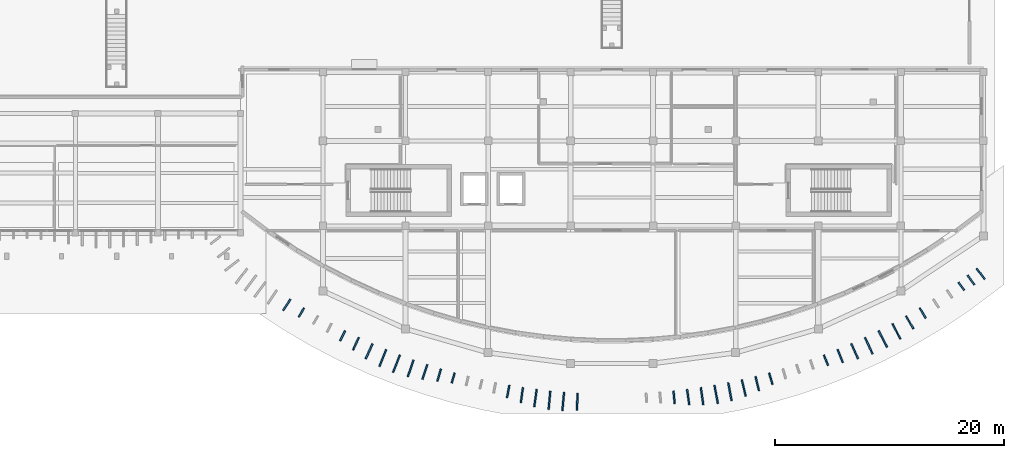
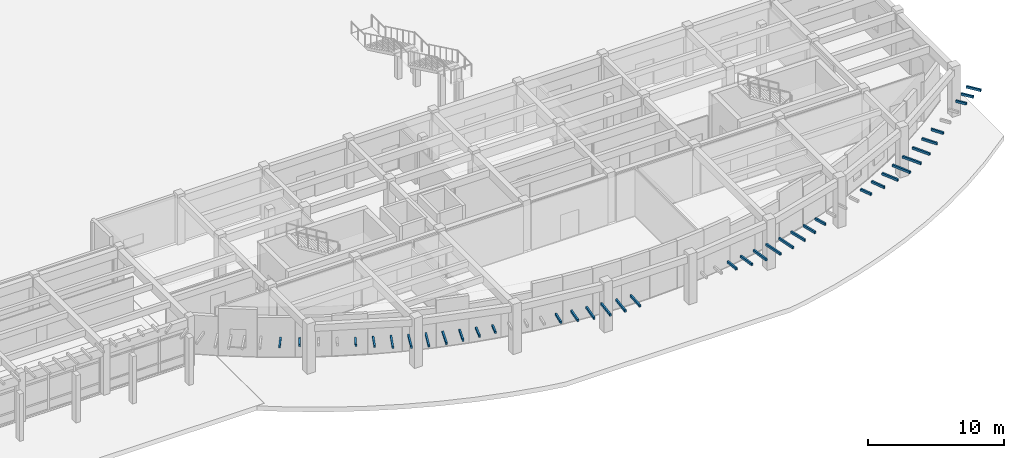
# One storey, part 42 of 58: 36 discrete accessories.
"""IFC4 building model written with IfcOpenShell, lengths in metres."""

from ifc_helpers import new_model, si_unit, direction, frame, origin, origin_2d, place, context, subcontext, project, spatial, rectangle, extrude, material, type_object, element, save


model = new_model("IFC4")

# Units and contexts
model_context = context("Model", 3, precision=1e-05, world=origin(), true_north=direction((0.0, 1.0)))
body_context = subcontext(model_context, "Body", "Model", "MODEL_VIEW")
ifc_project = project(units=[si_unit("LENGTHUNIT", "METRE"), si_unit("AREAUNIT", "SQUARE_METRE"), si_unit("VOLUMEUNIT", "CUBIC_METRE"), si_unit("PLANEANGLEUNIT", "RADIAN"), si_unit("MASSUNIT", "GRAM", prefix="KILO")], contexts=[model_context])

# Site, building, storey
site_placement = place(None, origin())
site = spatial("IfcSite", under=ifc_project, at=site_placement, CompositionType="ELEMENT")
building_placement = place(site_placement, origin())
building = spatial("IfcBuilding", under=site, at=building_placement, Name="Brisavento Harbour Community Centre", CompositionType="ELEMENT")
storey_placement = place(building_placement, origin())
storey = spatial("IfcBuildingStorey", under=building, at=storey_placement, Name="L00", CompositionType="ELEMENT", Elevation=0.0)

# Discrete accessories
ifc_material = material(Name="Stainless steel 1.4401", Category="steel")
discrete_accessory_type = type_object("IfcDiscreteAccessoryType", Name="BRK-FIN-SS", PredefinedType="BRACKET", material=ifc_material)
discrete_accessory_1_placement = place(storey_placement, frame((112.048583984375, 8.100830078125, 4.27978515625), z_axis=(0.0, 0.0, 1.0), x_axis=(-0.554060082852, -0.832476681109, 0.0)))
element("IfcDiscreteAccessory", 1, at=discrete_accessory_1_placement, inside=storey, type_object=discrete_accessory_type, Name="Stainless-steel storm-fin bracket 097.2", PredefinedType="BRACKET", context=body_context, shape_type="SweptSolid", body=[
    extrude(rectangle(XDim=1.146728515625, YDim=0.139892578125, at=origin_2d()), origin(), (0.0, 0.0, 1.0), 0.199951171875),
])
discrete_accessory_2_placement = place(storey_placement, frame((113.3203125, 7.4404296875, 4.27978515625), z_axis=(0.0, 0.0, 1.0), x_axis=(-0.507869167385, -0.861434216188, 0.0)))
element("IfcDiscreteAccessory", 2, at=discrete_accessory_2_placement, inside=storey, type_object=discrete_accessory_type, Name="Stainless-steel storm-fin bracket 098.2", PredefinedType="BRACKET", context=body_context, shape_type="SweptSolid", body=[
    extrude(rectangle(XDim=0.913330078125, YDim=0.139892578125, at=origin_2d()), origin(), (0.0, 0.0, 1.0), 0.199951171875),
])
discrete_accessory_3_placement = place(storey_placement, frame((116.914794921875, 5.41357421875, 4.27978515625), z_axis=(0.0, 0.0, 1.0), x_axis=(-0.461702168823, -0.887035009063, 0.0)))
element("IfcDiscreteAccessory", 3, at=discrete_accessory_3_placement, inside=storey, type_object=discrete_accessory_type, Name="Stainless-steel storm-fin bracket 101.2", PredefinedType="BRACKET", context=body_context, shape_type="SweptSolid", body=[
    extrude(rectangle(XDim=0.968994140625, YDim=0.139892578125, at=origin_2d()), origin(), (0.0, 0.0, 1.0), 0.199951171875),
])
discrete_accessory_4_placement = place(storey_placement, frame((118.07470703125, 4.716796875, 4.27978515625), z_axis=(0.0, 0.0, 1.0), x_axis=(-0.415518926407, -0.909584532519, 0.0)))
element("IfcDiscreteAccessory", 4, at=discrete_accessory_4_placement, inside=storey, type_object=discrete_accessory_type, Name="Stainless-steel storm-fin bracket 102.2", PredefinedType="BRACKET", context=body_context, shape_type="SweptSolid", body=[
    extrude(rectangle(XDim=1.20263671875, YDim=0.139892578125, at=origin_2d()), origin(), (0.0, 0.0, 1.0), 0.199951171875),
])
discrete_accessory_5_placement = place(storey_placement, frame((119.2265625, 4.063232421875, 4.27978515625), z_axis=(0.0, 0.0, 1.0), x_axis=(-0.415518926407, -0.909584532519, 0.0)))
element("IfcDiscreteAccessory", 5, at=discrete_accessory_5_placement, inside=storey, type_object=discrete_accessory_type, Name="Stainless-steel storm-fin bracket 103.2", PredefinedType="BRACKET", context=body_context, shape_type="SweptSolid", body=[
    extrude(rectangle(XDim=1.434326171875, YDim=0.139892578125, at=origin_2d()), origin(), (0.0, 0.0, 1.0), 0.199951171875),
])
discrete_accessory_6_placement = place(storey_placement, frame((120.4169921875, 3.4697265625, 4.27978515625), z_axis=(0.0, 0.0, 1.0), x_axis=(-0.369341311525, -0.92929381554, 0.0)))
element("IfcDiscreteAccessory", 6, at=discrete_accessory_6_placement, inside=storey, type_object=discrete_accessory_type, Name="Stainless-steel storm-fin bracket 104.2", PredefinedType="BRACKET", context=body_context, shape_type="SweptSolid", body=[
    extrude(rectangle(XDim=1.59130859375, YDim=0.139892578125, at=origin_2d()), origin(), (0.0, 0.0, 1.0), 0.199951171875),
])
discrete_accessory_7_placement = place(storey_placement, frame((121.6103515625, 2.976318359375, 4.27978515625), z_axis=(0.0, 0.0, 1.0), x_axis=(-0.369341311525, -0.92929381554, 0.0)))
element("IfcDiscreteAccessory", 7, at=discrete_accessory_7_placement, inside=storey, type_object=discrete_accessory_type, Name="Stainless-steel storm-fin bracket 105.2", PredefinedType="BRACKET", context=body_context, shape_type="SweptSolid", body=[
    extrude(rectangle(XDim=1.626220703125, YDim=0.139892578125, at=origin_2d()), origin(), (0.0, 0.0, 1.0), 0.199951171875),
])
discrete_accessory_8_placement = place(storey_placement, frame((122.849365234375, 2.568603515625, 4.27978515625), z_axis=(0.0, 0.0, 1.0), x_axis=(-0.323174264667, -0.94633947115, 0.0)))
element("IfcDiscreteAccessory", 8, at=discrete_accessory_8_placement, inside=storey, type_object=discrete_accessory_type, Name="Stainless-steel storm-fin bracket 106.2", PredefinedType="BRACKET", context=body_context, shape_type="SweptSolid", body=[
    extrude(rectangle(XDim=1.53271484375, YDim=0.139892578125, at=origin_2d()), origin(), (0.0, 0.0, 1.0), 0.199951171875),
])
discrete_accessory_9_placement = place(storey_placement, frame((124.080078125, 2.249267578125, 4.27978515625), z_axis=(0.0, 0.0, 1.0), x_axis=(-0.323174264667, -0.94633947115, 0.0)))
element("IfcDiscreteAccessory", 9, at=discrete_accessory_9_placement, inside=storey, type_object=discrete_accessory_type, Name="Stainless-steel storm-fin bracket 107.2", PredefinedType="BRACKET", context=body_context, shape_type="SweptSolid", body=[
    extrude(rectangle(XDim=1.341552734375, YDim=0.139892578125, at=origin_2d()), origin(), (0.0, 0.0, 1.0), 0.199951171875),
])
discrete_accessory_10_placement = place(storey_placement, frame((125.3291015625, 1.9765625, 4.27978515625), z_axis=(0.0, 0.0, 1.0), x_axis=(-0.276996031628, -0.96087106235, 0.0)))
element("IfcDiscreteAccessory", 10, at=discrete_accessory_10_placement, inside=storey, type_object=discrete_accessory_type, Name="Stainless-steel storm-fin bracket 108.2", PredefinedType="BRACKET", context=body_context, shape_type="SweptSolid", body=[
    extrude(rectangle(XDim=1.111328125, YDim=0.139892578125, at=origin_2d()), origin(), (0.0, 0.0, 1.0), 0.199951171875),
])
discrete_accessory_11_placement = place(storey_placement, frame((126.55712890625, 1.727294921875, 4.27978515625), z_axis=(0.0, 0.0, 1.0), x_axis=(-0.276996031628, -0.96087106235, 0.0)))
element("IfcDiscreteAccessory", 11, at=discrete_accessory_11_placement, inside=storey, type_object=discrete_accessory_type, Name="Stainless-steel storm-fin bracket 109.2", PredefinedType="BRACKET", context=body_context, shape_type="SweptSolid", body=[
    extrude(rectangle(XDim=0.909912109375, YDim=0.139892578125, at=origin_2d()), origin(), (0.0, 0.0, 1.0), 0.199951171875),
])
discrete_accessory_12_placement = place(storey_placement, frame((131.35302734375, 0.545166015625, 4.27978515625), z_axis=(0.0, 0.0, 1.0), x_axis=(-0.184671830369, -0.982800241691, 0.0)))
element("IfcDiscreteAccessory", 12, at=discrete_accessory_12_placement, inside=storey, type_object=discrete_accessory_type, Name="Stainless-steel storm-fin bracket 113.2", PredefinedType="BRACKET", context=body_context, shape_type="SweptSolid", body=[
    extrude(rectangle(XDim=1.109619140625, YDim=0.139892578125, at=origin_2d()), origin(), (0.0, 0.0, 1.0), 0.199951171875),
])
discrete_accessory_13_placement = place(storey_placement, frame((132.54931640625, 0.236328125, 4.27978515625), z_axis=(0.0, 0.0, 1.0), x_axis=(-0.138499014678, -0.990362571452, 0.0)))
element("IfcDiscreteAccessory", 13, at=discrete_accessory_13_placement, inside=storey, type_object=discrete_accessory_type, Name="Stainless-steel storm-fin bracket 114.2", PredefinedType="BRACKET", context=body_context, shape_type="SweptSolid", body=[
    extrude(rectangle(XDim=1.332275390625, YDim=0.139892578125, at=origin_2d()), origin(), (0.0, 0.0, 1.0), 0.199951171875),
])
discrete_accessory_14_placement = place(storey_placement, frame((133.736328125, -0.024169921875, 4.27978515625), z_axis=(0.0, 0.0, 1.0), x_axis=(-0.138499014678, -0.990362571452, 0.0)))
element("IfcDiscreteAccessory", 14, at=discrete_accessory_14_placement, inside=storey, type_object=discrete_accessory_type, Name="Stainless-steel storm-fin bracket 115.2", PredefinedType="BRACKET", context=body_context, shape_type="SweptSolid", body=[
    extrude(rectangle(XDim=1.51953125, YDim=0.139892578125, at=origin_2d()), origin(), (0.0, 0.0, 1.0), 0.199951171875),
])
discrete_accessory_15_placement = place(storey_placement, frame((134.952880859375, -0.21630859375, 4.27978515625), z_axis=(0.0, 0.0, 1.0), x_axis=(-0.092335830041, -0.99572792192, 0.0)))
element("IfcDiscreteAccessory", 15, at=discrete_accessory_15_placement, inside=storey, type_object=discrete_accessory_type, Name="Stainless-steel storm-fin bracket 116.2", PredefinedType="BRACKET", context=body_context, shape_type="SweptSolid", body=[
    extrude(rectangle(XDim=1.62060546875, YDim=0.139892578125, at=origin_2d()), origin(), (0.0, 0.0, 1.0), 0.199951171875),
])
discrete_accessory_16_placement = place(storey_placement, frame((136.1533203125, -0.322021484375, 4.27978515625), z_axis=(0.0, 0.0, 1.0), x_axis=(-0.092335830041, -0.99572792192, 0.0)))
element("IfcDiscreteAccessory", 16, at=discrete_accessory_16_placement, inside=storey, type_object=discrete_accessory_type, Name="Stainless-steel storm-fin bracket 117.2", PredefinedType="BRACKET", context=body_context, shape_type="SweptSolid", body=[
    extrude(rectangle(XDim=1.609130859375, YDim=0.139892578125, at=origin_2d()), origin(), (0.0, 0.0, 1.0), 0.199951171875),
])
discrete_accessory_17_placement = place(storey_placement, frame((137.37939453125, -0.3466796875, 4.27978515625), z_axis=(0.0, 0.0, 1.0), x_axis=(-0.0461649984, -0.9989338281, 0.0)))
element("IfcDiscreteAccessory", 17, at=discrete_accessory_17_placement, inside=storey, type_object=discrete_accessory_type, Name="Stainless-steel storm-fin bracket 118.2", PredefinedType="BRACKET", context=body_context, shape_type="SweptSolid", body=[
    extrude(rectangle(XDim=1.488525390625, YDim=0.139892578125, at=origin_2d()), origin(), (0.0, 0.0, 1.0), 0.199951171875),
])
discrete_accessory_18_placement = place(storey_placement, frame((145.823974609375, 0.032958984375, 4.27978515625), z_axis=(0.0, 0.0, 1.0), x_axis=(0.092335830041, -0.99572792192, 0.0)))
element("IfcDiscreteAccessory", 18, at=discrete_accessory_18_placement, inside=storey, type_object=discrete_accessory_type, Name="Stainless-steel storm-fin bracket 121.2", PredefinedType="BRACKET", context=body_context, shape_type="SweptSolid", body=[
    extrude(rectangle(XDim=1.119873046875, YDim=0.139892578125, at=origin_2d()), origin(), (0.0, 0.0, 1.0), 0.199951171875),
])
discrete_accessory_19_placement = place(storey_placement, frame((147.05126953125, 0.064208984375, 4.27978515625), z_axis=(0.0, 0.0, 1.0), x_axis=(0.138499014678, -0.990362571452, 0.0)))
element("IfcDiscreteAccessory", 19, at=discrete_accessory_19_placement, inside=storey, type_object=discrete_accessory_type, Name="Stainless-steel storm-fin bracket 122.2", PredefinedType="BRACKET", context=body_context, shape_type="SweptSolid", body=[
    extrude(rectangle(XDim=1.3408203125, YDim=0.139892578125, at=origin_2d()), origin(), (0.0, 0.0, 1.0), 0.199951171875),
])
discrete_accessory_20_placement = place(storey_placement, frame((148.26416015625, 0.140625, 4.27978515625), z_axis=(0.0, 0.0, 1.0), x_axis=(0.138499014678, -0.990362571452, 0.0)))
element("IfcDiscreteAccessory", 20, at=discrete_accessory_20_placement, inside=storey, type_object=discrete_accessory_type, Name="Stainless-steel storm-fin bracket 123.2", PredefinedType="BRACKET", context=body_context, shape_type="SweptSolid", body=[
    extrude(rectangle(XDim=1.525390625, YDim=0.139892578125, at=origin_2d()), origin(), (0.0, 0.0, 1.0), 0.199951171875),
])
discrete_accessory_21_placement = place(storey_placement, frame((149.494384765625, 0.293212890625, 4.27978515625), z_axis=(0.0, 0.0, 1.0), x_axis=(0.184671830369, -0.982800241691, 0.0)))
element("IfcDiscreteAccessory", 21, at=discrete_accessory_21_placement, inside=storey, type_object=discrete_accessory_type, Name="Stainless-steel storm-fin bracket 124.2", PredefinedType="BRACKET", context=body_context, shape_type="SweptSolid", body=[
    extrude(rectangle(XDim=1.622802734375, YDim=0.139892578125, at=origin_2d()), origin(), (0.0, 0.0, 1.0), 0.199951171875),
])
discrete_accessory_22_placement = place(storey_placement, frame((150.69287109375, 0.527587890625, 4.27978515625), z_axis=(0.0, 0.0, 1.0), x_axis=(0.184671830369, -0.982800241691, 0.0)))
element("IfcDiscreteAccessory", 22, at=discrete_accessory_22_placement, inside=storey, type_object=discrete_accessory_type, Name="Stainless-steel storm-fin bracket 125.2", PredefinedType="BRACKET", context=body_context, shape_type="SweptSolid", body=[
    extrude(rectangle(XDim=1.604736328125, YDim=0.139892578125, at=origin_2d()), origin(), (0.0, 0.0, 1.0), 0.199951171875),
])
discrete_accessory_23_placement = place(storey_placement, frame((151.90087890625, 0.8505859375, 4.27978515625), z_axis=(0.0, 0.0, 1.0), x_axis=(0.230830981037, -0.972993863389, 0.0)))
element("IfcDiscreteAccessory", 23, at=discrete_accessory_23_placement, inside=storey, type_object=discrete_accessory_type, Name="Stainless-steel storm-fin bracket 126.2", PredefinedType="BRACKET", context=body_context, shape_type="SweptSolid", body=[
    extrude(rectangle(XDim=1.47509765625, YDim=0.139892578125, at=origin_2d()), origin(), (0.0, 0.0, 1.0), 0.199951171875),
])
discrete_accessory_24_placement = place(storey_placement, frame((153.0771484375, 1.235595703125, 4.27978515625), z_axis=(0.0, 0.0, 1.0), x_axis=(0.230830981037, -0.972993863389, 0.0)))
element("IfcDiscreteAccessory", 24, at=discrete_accessory_24_placement, inside=storey, type_object=discrete_accessory_type, Name="Stainless-steel storm-fin bracket 127.2", PredefinedType="BRACKET", context=body_context, shape_type="SweptSolid", body=[
    extrude(rectangle(XDim=1.2685546875, YDim=0.139892578125, at=origin_2d()), origin(), (0.0, 0.0, 1.0), 0.199951171875),
])
discrete_accessory_25_placement = place(storey_placement, frame((154.26123046875, 1.66357421875, 4.27978515625), z_axis=(0.0, 0.0, 1.0), x_axis=(0.276996031628, -0.96087106235, 0.0)))
element("IfcDiscreteAccessory", 25, at=discrete_accessory_25_placement, inside=storey, type_object=discrete_accessory_type, Name="Stainless-steel storm-fin bracket 128.2", PredefinedType="BRACKET", context=body_context, shape_type="SweptSolid", body=[
    extrude(rectangle(XDim=1.04296875, YDim=0.139892578125, at=origin_2d()), origin(), (0.0, 0.0, 1.0), 0.199951171875),
])
discrete_accessory_26_placement = place(storey_placement, frame((159.071044921875, 3.2744140625, 4.27978515625), z_axis=(0.0, 0.0, 1.0), x_axis=(0.369341311525, -0.92929381554, 0.0)))
element("IfcDiscreteAccessory", 26, at=discrete_accessory_26_placement, inside=storey, type_object=discrete_accessory_type, Name="Stainless-steel storm-fin bracket 132.2", PredefinedType="BRACKET", context=body_context, shape_type="SweptSolid", body=[
    extrude(rectangle(XDim=0.98486328125, YDim=0.139892578125, at=origin_2d()), origin(), (0.0, 0.0, 1.0), 0.199951171875),
])
discrete_accessory_27_placement = place(storey_placement, frame((160.313232421875, 3.645263671875, 4.27978515625), z_axis=(0.0, 0.0, 1.0), x_axis=(0.369341311525, -0.92929381554, 0.0)))
element("IfcDiscreteAccessory", 27, at=discrete_accessory_27_placement, inside=storey, type_object=discrete_accessory_type, Name="Stainless-steel storm-fin bracket 133.2", PredefinedType="BRACKET", context=body_context, shape_type="SweptSolid", body=[
    extrude(rectangle(XDim=1.212890625, YDim=0.139892578125, at=origin_2d()), origin(), (0.0, 0.0, 1.0), 0.199951171875),
])
discrete_accessory_28_placement = place(storey_placement, frame((161.57470703125, 4.060302734375, 4.27978515625), z_axis=(0.0, 0.0, 1.0), x_axis=(0.415518926407, -0.909584532519, 0.0)))
element("IfcDiscreteAccessory", 28, at=discrete_accessory_28_placement, inside=storey, type_object=discrete_accessory_type, Name="Stainless-steel storm-fin bracket 134.2", PredefinedType="BRACKET", context=body_context, shape_type="SweptSolid", body=[
    extrude(rectangle(XDim=1.44091796875, YDim=0.139892578125, at=origin_2d()), origin(), (0.0, 0.0, 1.0), 0.199951171875),
])
discrete_accessory_29_placement = place(storey_placement, frame((162.806884765625, 4.538330078125, 4.27978515625), z_axis=(0.0, 0.0, 1.0), x_axis=(0.415518926407, -0.909584532519, 0.0)))
element("IfcDiscreteAccessory", 29, at=discrete_accessory_29_placement, inside=storey, type_object=discrete_accessory_type, Name="Stainless-steel storm-fin bracket 135.2", PredefinedType="BRACKET", context=body_context, shape_type="SweptSolid", body=[
    extrude(rectangle(XDim=1.59521484375, YDim=0.139892578125, at=origin_2d()), origin(), (0.0, 0.0, 1.0), 0.199951171875),
])
discrete_accessory_30_placement = place(storey_placement, frame((164.036376953125, 5.123291015625, 4.27978515625), z_axis=(0.0, 0.0, 1.0), x_axis=(0.461702168823, -0.887035009063, 0.0)))
element("IfcDiscreteAccessory", 30, at=discrete_accessory_30_placement, inside=storey, type_object=discrete_accessory_type, Name="Stainless-steel storm-fin bracket 136.2", PredefinedType="BRACKET", context=body_context, shape_type="SweptSolid", body=[
    extrude(rectangle(XDim=1.623291015625, YDim=0.139892578125, at=origin_2d()), origin(), (0.0, 0.0, 1.0), 0.199951171875),
])
discrete_accessory_31_placement = place(storey_placement, frame((165.210205078125, 5.7978515625, 4.27978515625), z_axis=(0.0, 0.0, 1.0), x_axis=(0.461702168823, -0.887035009063, 0.0)))
element("IfcDiscreteAccessory", 31, at=discrete_accessory_31_placement, inside=storey, type_object=discrete_accessory_type, Name="Stainless-steel storm-fin bracket 137.2", PredefinedType="BRACKET", context=body_context, shape_type="SweptSolid", body=[
    extrude(rectangle(XDim=1.510986328125, YDim=0.139892578125, at=origin_2d()), origin(), (0.0, 0.0, 1.0), 0.199951171875),
])
discrete_accessory_32_placement = place(storey_placement, frame((166.375732421875, 6.570068359375, 4.27978515625), z_axis=(0.0, 0.0, 1.0), x_axis=(0.507869167385, -0.861434216188, 0.0)))
element("IfcDiscreteAccessory", 32, at=discrete_accessory_32_placement, inside=storey, type_object=discrete_accessory_type, Name="Stainless-steel storm-fin bracket 138.2", PredefinedType="BRACKET", context=body_context, shape_type="SweptSolid", body=[
    extrude(rectangle(XDim=1.29150390625, YDim=0.139892578125, at=origin_2d()), origin(), (0.0, 0.0, 1.0), 0.199951171875),
])
discrete_accessory_33_placement = place(storey_placement, frame((167.51123046875, 7.386474609375, 4.27978515625), z_axis=(0.0, 0.0, 1.0), x_axis=(0.507869167385, -0.861434216188, 0.0)))
element("IfcDiscreteAccessory", 33, at=discrete_accessory_33_placement, inside=storey, type_object=discrete_accessory_type, Name="Stainless-steel storm-fin bracket 139.2", PredefinedType="BRACKET", context=body_context, shape_type="SweptSolid", body=[
    extrude(rectangle(XDim=1.03857421875, YDim=0.139892578125, at=origin_2d()), origin(), (0.0, 0.0, 1.0), 0.199951171875),
])
discrete_accessory_34_placement = place(storey_placement, frame((170.877197265625, 9.723876953125, 4.27978515625), z_axis=(0.0, 0.0, 1.0), x_axis=(0.600252726595, -0.799810392665, 0.0)))
element("IfcDiscreteAccessory", 34, at=discrete_accessory_34_placement, inside=storey, type_object=discrete_accessory_type, Name="Stainless-steel storm-fin bracket 142.2", PredefinedType="BRACKET", context=body_context, shape_type="SweptSolid", body=[
    extrude(rectangle(XDim=0.857177734375, YDim=0.139892578125, at=origin_2d()), origin(), (0.0, 0.0, 1.0), 0.199951171875),
])
discrete_accessory_35_placement = place(storey_placement, frame((171.718017578125, 10.27001953125, 4.27978515625), z_axis=(0.0, 0.0, 1.0), x_axis=(0.600252726595, -0.799810392665, 0.0)))
element("IfcDiscreteAccessory", 35, at=discrete_accessory_35_placement, inside=storey, type_object=discrete_accessory_type, Name="Stainless-steel storm-fin bracket 143.2", PredefinedType="BRACKET", context=body_context, shape_type="SweptSolid", body=[
    extrude(rectangle(XDim=0.992919921875, YDim=0.139892578125, at=origin_2d()), origin(), (0.0, 0.0, 1.0), 0.199951171875),
])
discrete_accessory_36_placement = place(storey_placement, frame((172.570556640625, 10.800048828125, 4.27978515625), z_axis=(0.0, 0.0, 1.0), x_axis=(0.600252726595, -0.799810392665, 0.0)))
element("IfcDiscreteAccessory", 36, at=discrete_accessory_36_placement, inside=storey, type_object=discrete_accessory_type, Name="Stainless-steel storm-fin bracket 144.2", PredefinedType="BRACKET", context=body_context, shape_type="SweptSolid", body=[
    extrude(rectangle(XDim=1.16845703125, YDim=0.139892578125, at=origin_2d()), origin(), (0.0, 0.0, 1.0), 0.199951171875),
])

save(model, "model.ifc")
